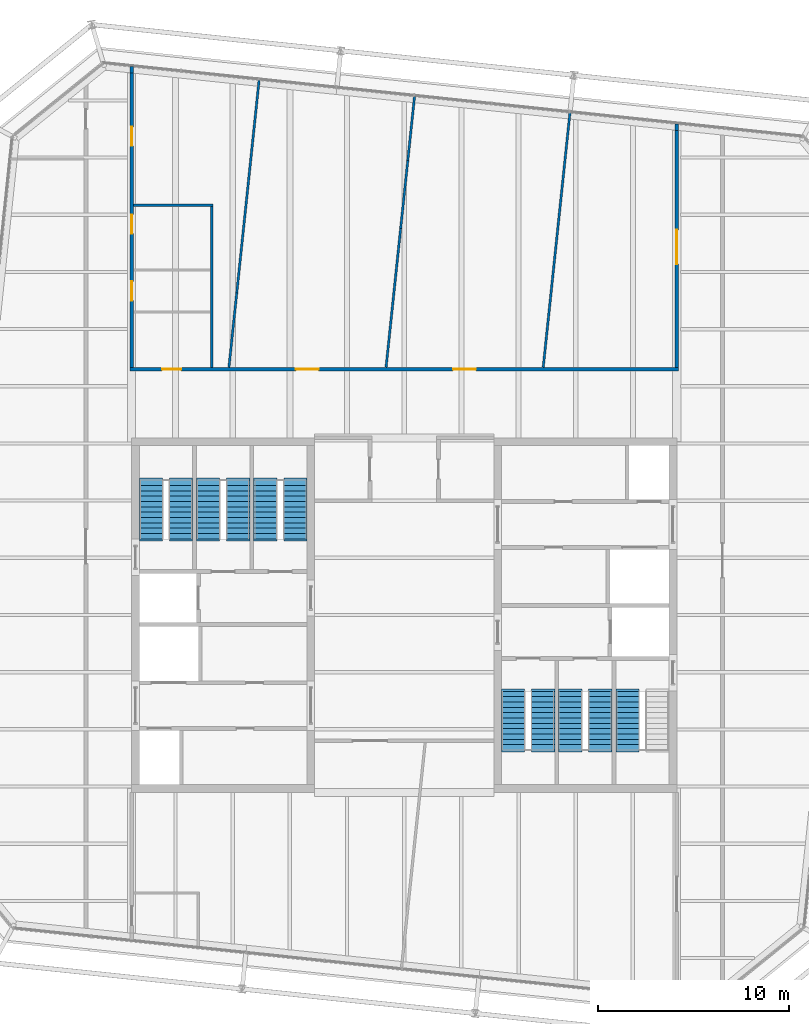
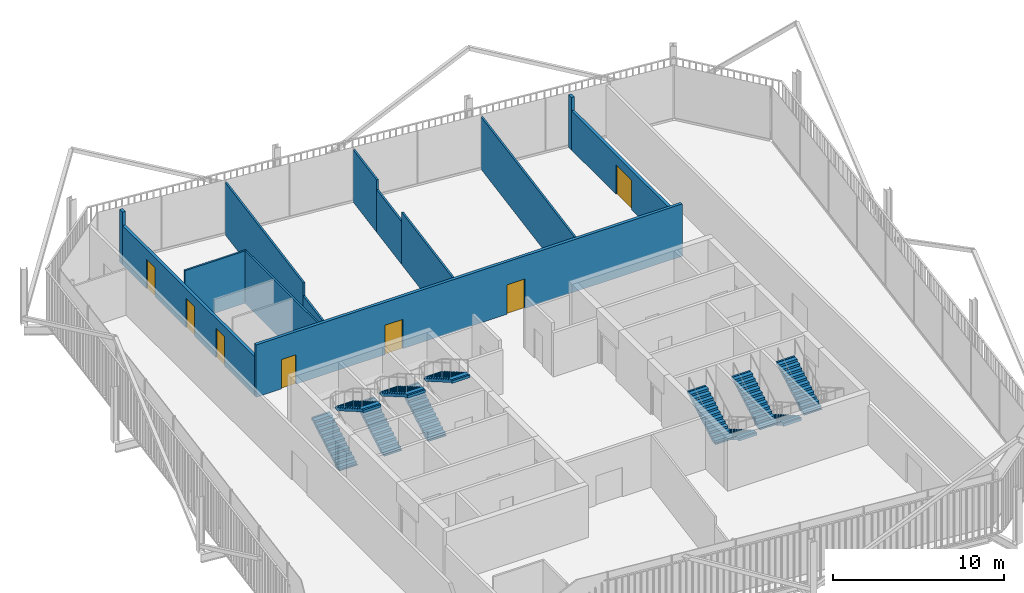
# One storey, part 19 of 21: 13 walls, 11 stair flights, 7 doors, 7 openings, 6 elements without a shape of their own.
"""IFC4 building model written with IfcOpenShell, lengths in metres."""

from ifc_helpers import new_model, si_unit, direction, frame, frame_2d, origin, place, context, subcontext, project, spatial, polyline, rectangle, outline, extrude, material, layer, layer_set, type_object, element, fill, aggregate, save


model = new_model("IFC4")

# Units and contexts
model_context = context("Model", 3, precision=1e-05, world=origin(), true_north=direction((0.0, 1.0)))
body_context = subcontext(model_context, "Body", "Model", "MODEL_VIEW")
ifc_project = project(units=[si_unit("LENGTHUNIT", "METRE"), si_unit("AREAUNIT", "SQUARE_METRE"), si_unit("VOLUMEUNIT", "CUBIC_METRE"), si_unit("PLANEANGLEUNIT", "RADIAN"), si_unit("MASSUNIT", "GRAM", prefix="KILO")], contexts=[model_context])

# Site, building, storey
site_placement = place(None, origin())
site = spatial("IfcSite", under=ifc_project, at=site_placement, CompositionType="ELEMENT")
building_placement = place(site_placement, origin())
building = spatial("IfcBuilding", under=site, at=building_placement, Name="Millrace Tower", CompositionType="ELEMENT")
storey_placement = place(building_placement, frame((0.0, 0.0, 334.300048828125)))
storey = spatial("IfcBuildingStorey", under=building, at=storey_placement, Name="L77", CompositionType="ELEMENT", Elevation=334.300048828125)

# Wall, openings, doors
ifc_material_1 = material(Name="Masonry partition, fire-rated", Category="masonry")
ifc_layer_1 = layer(ifc_material_1, 0.199951171875)
ifc_layer_set_1 = layer_set([ifc_layer_1], Name="Masonry partition, fire-rated")
wall_type_1 = type_object("IfcWallType", Name="Corridor wall 200", PredefinedType="PARTITIONING", material=ifc_layer_set_1)
wall_1_placement = place(storey_placement, frame((-14.39990234375, 12.89990234375, 0.0), z_axis=(0.0, 0.0, 1.0), x_axis=(1.0, 0.0, 0.0)))
wall_1 = element("IfcWall", 1, at=wall_1_placement, inside=storey, type_object=wall_type_1, Name="Corridor wall L77", PredefinedType="PARTITIONING", context=body_context, shape_type="SweptSolid", body=[
    extrude(rectangle(XDim=28.7998046875, YDim=0.199951171875, at=frame_2d((14.39990234375, 0.0))), origin(), (0.0, 0.0, 1.0), 3.739990234375),
])
opening_1_placement = place(wall_1_placement, frame((1.699951171875, 0.0, 0.0)))
opening_1 = element("IfcOpeningElement", 2, at=opening_1_placement, cuts=wall_1, Name="Opening 77-P006", PredefinedType="OPENING", context=body_context, shape_type="SweptSolid", body=[
    extrude(rectangle(XDim=1.0, YDim=2.10009765625, at=frame_2d((0.5, 1.050048828125))), frame((0.0, 0.10986328125, 0.0), z_axis=(0.0, -1.0, 0.0), x_axis=(1.0, 0.0, 0.0)), (0.0, 0.0, 1.0), 0.219970703125),
])
opening_2_placement = place(wall_1_placement, frame((8.714599609375, 0.0, 0.0)))
opening_2 = element("IfcOpeningElement", 3, at=opening_2_placement, cuts=wall_1, Name="Opening 77-P009", PredefinedType="OPENING", context=body_context, shape_type="SweptSolid", body=[
    extrude(rectangle(XDim=1.199951171875, YDim=2.10009765625, at=frame_2d((0.60009765625, 1.050048828125))), frame((0.0, 0.10986328125, 0.0), z_axis=(0.0, -1.0, 0.0), x_axis=(1.0, 0.0, 0.0)), (0.0, 0.0, 1.0), 0.219970703125),
])
opening_3_placement = place(wall_1_placement, frame((16.9599609375, 0.0, 0.0)))
opening_3 = element("IfcOpeningElement", 4, at=opening_3_placement, cuts=wall_1, Name="Opening 77-P010", PredefinedType="OPENING", context=body_context, shape_type="SweptSolid", body=[
    extrude(rectangle(XDim=1.199951171875, YDim=2.10009765625, at=frame_2d((0.60009765625, 1.050048828125))), frame((0.0, 0.10986328125, 0.0), z_axis=(0.0, -1.0, 0.0), x_axis=(1.0, 0.0, 0.0)), (0.0, 0.0, 1.0), 0.219970703125),
])
ifc_material_2 = material(Name="Steel door set, fire-rated", Category="steel")
door_type_1 = type_object("IfcDoorType", Name="Corridor door 1000 x 2100", OperationType="SINGLE_SWING_LEFT", PredefinedType="DOOR", material=ifc_material_2)
door_1_placement = place(opening_1_placement, origin())
door_1 = element("IfcDoor", 5, at=door_1_placement, inside=storey, type_object=door_type_1, Name="Door 77-P006", OperationType="SINGLE_SWING_LEFT", OverallHeight=2.10009765625, OverallWidth=1.0, PredefinedType="DOOR", context=body_context, shape_type="SweptSolid", body=[
    extrude(rectangle(XDim=1.0, YDim=2.10009765625, at=frame_2d((0.5, 1.050048828125))), frame((0.0, 0.02490234375, 0.0), z_axis=(0.0, -1.0, 0.0), x_axis=(1.0, 0.0, 0.0)), (0.0, 0.0, 1.0), 0.050048828125),
])
fill(opening_1, door_1)
ifc_material_3 = material(Name="Steel door set, fire-rated", Category="steel")
door_type_2 = type_object("IfcDoorType", Name="Corridor door 1200 x 2100", OperationType="SINGLE_SWING_LEFT", PredefinedType="DOOR", material=ifc_material_3)
door_2_placement = place(opening_2_placement, origin())
door_2 = element("IfcDoor", 6, at=door_2_placement, inside=storey, type_object=door_type_2, Name="Door 77-P009", OperationType="SINGLE_SWING_LEFT", OverallHeight=2.10009765625, OverallWidth=1.199951171875, PredefinedType="DOOR", context=body_context, shape_type="SweptSolid", body=[
    extrude(rectangle(XDim=1.199951171875, YDim=2.10009765625, at=frame_2d((0.60009765625, 1.050048828125))), frame((0.0, 0.02490234375, 0.0), z_axis=(0.0, -1.0, 0.0), x_axis=(1.0, 0.0, 0.0)), (0.0, 0.0, 1.0), 0.050048828125),
])
fill(opening_2, door_2)
door_3_placement = place(opening_3_placement, origin())
door_3 = element("IfcDoor", 7, at=door_3_placement, inside=storey, type_object=door_type_2, Name="Door 77-P010", OperationType="SINGLE_SWING_RIGHT", OverallHeight=2.10009765625, OverallWidth=1.199951171875, PredefinedType="DOOR", context=body_context, shape_type="SweptSolid", body=[
    extrude(rectangle(XDim=1.199951171875, YDim=2.10009765625, at=frame_2d((0.60009765625, 1.050048828125))), frame((0.0, 0.02490234375, 0.0), z_axis=(0.0, -1.0, 0.0), x_axis=(1.0, 0.0, 0.0)), (0.0, 0.0, 1.0), 0.050048828125),
])
fill(opening_3, door_3)

# Wall, opening, door
wall_2_placement = place(storey_placement, frame((14.300048828125, 13.0, 0.0), z_axis=(0.0, 0.0, 1.0), x_axis=(0.0, 1.0, 0.0)))
wall_2 = element("IfcWall", 8, at=wall_2_placement, inside=storey, type_object=wall_type_1, Name="Corridor wall L77", PredefinedType="PARTITIONING", context=body_context, shape_type="SweptSolid", body=[
    extrude(rectangle(XDim=12.434326171875, YDim=0.199951171875, at=frame_2d((6.21728515625, 0.0))), origin(), (0.0, 0.0, 1.0), 2.79248046875),
])
opening_4_placement = place(wall_2_placement, frame((5.41162109375, 0.0, 0.0)))
opening_4 = element("IfcOpeningElement", 9, at=opening_4_placement, cuts=wall_2, Name="Opening 77-P011", PredefinedType="OPENING", context=body_context, shape_type="SweptSolid", body=[
    extrude(rectangle(XDim=1.800048828125, YDim=2.10009765625, at=frame_2d((0.89990234375, 1.050048828125))), frame((0.0, 0.10986328125, 0.0), z_axis=(0.0, -1.0, 0.0), x_axis=(1.0, 0.0, 0.0)), (0.0, 0.0, 1.0), 0.219970703125),
])
ifc_material_4 = material(Name="Steel door set, fire-rated", Category="steel")
door_type_3 = type_object("IfcDoorType", Name="Corridor door 1800 x 2100", OperationType="DOUBLE_DOOR_SINGLE_SWING", PredefinedType="DOOR", material=ifc_material_4)
door_4_placement = place(opening_4_placement, origin())
door_4 = element("IfcDoor", 10, at=door_4_placement, inside=storey, type_object=door_type_3, Name="Door 77-P011", OperationType="DOUBLE_DOOR_SINGLE_SWING", OverallHeight=2.10009765625, OverallWidth=1.800048828125, PredefinedType="DOOR", context=body_context, shape_type="SweptSolid", body=[
    extrude(rectangle(XDim=1.800048828125, YDim=2.10009765625, at=frame_2d((0.89990234375, 1.050048828125))), frame((0.0, 0.02490234375, 0.0), z_axis=(0.0, -1.0, 0.0), x_axis=(1.0, 0.0, 0.0)), (0.0, 0.0, 1.0), 0.050048828125),
])
fill(opening_4, door_4)

# Wall
wall_3_placement = place(storey_placement, frame((14.300048828125, 25.434326171875, 0.0), z_axis=(0.0, 0.0, 1.0), x_axis=(0.0, 1.0, 0.0)))
element("IfcWall", 11, at=wall_3_placement, inside=storey, type_object=wall_type_1, Name="Corridor wall L77", PredefinedType="PARTITIONING", context=body_context, shape_type="SweptSolid", body=[
    extrude(rectangle(XDim=0.339111328125, YDim=0.199951171875, at=frame_2d((0.16943359375, 0.0))), origin(), (0.0, 0.0, 1.0), 3.739990234375),
])

# Wall, openings, doors
wall_4_placement = place(storey_placement, frame((-14.300048828125, 13.0, 0.0), z_axis=(0.0, 0.0, 1.0), x_axis=(0.0, 1.0, 0.0)))
wall_4 = element("IfcWall", 12, at=wall_4_placement, inside=storey, type_object=wall_type_1, Name="Corridor wall L77", PredefinedType="PARTITIONING", context=body_context, shape_type="SweptSolid", body=[
    extrude(rectangle(XDim=15.440185546875, YDim=0.199951171875, at=frame_2d((7.72021484375, 0.0))), origin(), (0.0, 0.0, 1.0), 2.79248046875),
])
opening_5_placement = place(wall_4_placement, frame((11.614501953125, 0.0, 0.0)))
opening_5 = element("IfcOpeningElement", 13, at=opening_5_placement, cuts=wall_4, Name="Opening 77-P005", PredefinedType="OPENING", context=body_context, shape_type="SweptSolid", body=[
    extrude(rectangle(XDim=1.0, YDim=2.10009765625, at=frame_2d((0.5, 1.050048828125))), frame((0.0, 0.10986328125, 0.0), z_axis=(0.0, -1.0, 0.0), x_axis=(1.0, 0.0, 0.0)), (0.0, 0.0, 1.0), 0.219970703125),
])
opening_6_placement = place(wall_4_placement, frame((3.5, 0.0, 0.0)))
opening_6 = element("IfcOpeningElement", 14, at=opening_6_placement, cuts=wall_4, Name="Opening 77-P007", PredefinedType="OPENING", context=body_context, shape_type="SweptSolid", body=[
    extrude(rectangle(XDim=1.0, YDim=2.10009765625, at=frame_2d((0.5, 1.050048828125))), frame((0.0, 0.10986328125, 0.0), z_axis=(0.0, -1.0, 0.0), x_axis=(1.0, 0.0, 0.0)), (0.0, 0.0, 1.0), 0.219970703125),
])
opening_7_placement = place(wall_4_placement, frame((7.010986328125, 0.0, 0.0)))
opening_7 = element("IfcOpeningElement", 15, at=opening_7_placement, cuts=wall_4, Name="Opening 77-P008", PredefinedType="OPENING", context=body_context, shape_type="SweptSolid", body=[
    extrude(rectangle(XDim=1.0, YDim=2.10009765625, at=frame_2d((0.5, 1.050048828125))), frame((0.0, 0.10986328125, 0.0), z_axis=(0.0, -1.0, 0.0), x_axis=(1.0, 0.0, 0.0)), (0.0, 0.0, 1.0), 0.219970703125),
])
door_5_placement = place(opening_5_placement, frame((1.0, 0.0, 0.0), z_axis=(0.0, 0.0, 1.0), x_axis=(-1.0, 0.0, 0.0)))
door_5 = element("IfcDoor", 16, at=door_5_placement, inside=storey, type_object=door_type_1, Name="Door 77-P005", OperationType="SINGLE_SWING_LEFT", OverallHeight=2.10009765625, OverallWidth=1.0, PredefinedType="DOOR", context=body_context, shape_type="SweptSolid", body=[
    extrude(rectangle(XDim=1.0, YDim=2.10009765625, at=frame_2d((0.5, 1.050048828125))), frame((0.0, 0.02490234375, 0.0), z_axis=(0.0, -1.0, 0.0), x_axis=(1.0, 0.0, 0.0)), (0.0, 0.0, 1.0), 0.050048828125),
])
fill(opening_5, door_5)
door_6_placement = place(opening_6_placement, frame((1.0, 0.0, 0.0), z_axis=(0.0, 0.0, 1.0), x_axis=(-1.0, 0.0, 0.0)))
door_6 = element("IfcDoor", 17, at=door_6_placement, inside=storey, type_object=door_type_1, Name="Door 77-P007", OperationType="SINGLE_SWING_RIGHT", OverallHeight=2.10009765625, OverallWidth=1.0, PredefinedType="DOOR", context=body_context, shape_type="SweptSolid", body=[
    extrude(rectangle(XDim=1.0, YDim=2.10009765625, at=frame_2d((0.5, 1.050048828125))), frame((0.0, 0.02490234375, 0.0), z_axis=(0.0, -1.0, 0.0), x_axis=(1.0, 0.0, 0.0)), (0.0, 0.0, 1.0), 0.050048828125),
])
fill(opening_6, door_6)
door_7_placement = place(opening_7_placement, frame((1.0, 0.0, 0.0), z_axis=(0.0, 0.0, 1.0), x_axis=(-1.0, 0.0, 0.0)))
door_7 = element("IfcDoor", 18, at=door_7_placement, inside=storey, type_object=door_type_1, Name="Door 77-P008", OperationType="SINGLE_SWING_RIGHT", OverallHeight=2.10009765625, OverallWidth=1.0, PredefinedType="DOOR", context=body_context, shape_type="SweptSolid", body=[
    extrude(rectangle(XDim=1.0, YDim=2.10009765625, at=frame_2d((0.5, 1.050048828125))), frame((0.0, 0.02490234375, 0.0), z_axis=(0.0, -1.0, 0.0), x_axis=(1.0, 0.0, 0.0)), (0.0, 0.0, 1.0), 0.050048828125),
])
fill(opening_7, door_7)

# Walls
wall_5_placement = place(storey_placement, frame((-14.300048828125, 28.440185546875, 0.0), z_axis=(0.0, 0.0, 1.0), x_axis=(0.0, 1.0, 0.0)))
element("IfcWall", 19, at=wall_5_placement, inside=storey, type_object=wall_type_1, Name="Corridor wall L77", PredefinedType="PARTITIONING", context=body_context, shape_type="SweptSolid", body=[
    extrude(rectangle(XDim=0.33935546875, YDim=0.199951171875, at=frame_2d((0.169677734375, 0.0))), origin(), (0.0, 0.0, 1.0), 3.739990234375),
])
ifc_material_5 = material(Name="Gypsum board partition")
ifc_layer_2 = layer(ifc_material_5, 0.1201171875)
ifc_layer_set_2 = layer_set([ifc_layer_2], Name="Gypsum board partition")
wall_type_2 = type_object("IfcWallType", Name="Partition wall 120", PredefinedType="PARTITIONING", material=ifc_layer_set_2)
wall_6_placement = place(storey_placement, frame((-14.199951171875, 21.5, 0.0), z_axis=(0.0, 0.0, 1.0), x_axis=(1.0, 0.0, 0.0)))
element("IfcWall", 20, at=wall_6_placement, inside=storey, type_object=wall_type_2, Name="Partition wall L77", PredefinedType="PARTITIONING", context=body_context, shape_type="SweptSolid", body=[
    extrude(rectangle(XDim=4.159912109375, YDim=0.1201171875, at=frame_2d((2.080078125, 0.0))), origin(), (0.0, 0.0, 1.0), 3.739990234375),
])
wall_7_placement = place(storey_placement, frame((7.29345703125, 12.99951171875, 0.0), z_axis=(0.0, 0.0, 1.0), x_axis=(0.104478587956, 0.99452713621, 0.0)))
element("IfcWall", 21, at=wall_7_placement, inside=storey, type_object=wall_type_2, Name="Partition wall L77", PredefinedType="PARTITIONING", context=body_context, shape_type="SweptSolid", body=[
    extrude(rectangle(XDim=13.436279296875, YDim=0.1201171875, at=frame_2d((6.71826171875, 0.0))), origin(), (0.0, 0.0, 1.0), 3.739990234375),
])
wall_8_placement = place(storey_placement, frame((-0.95263671875, 12.99951171875, 0.0), z_axis=(0.0, 0.0, 1.0), x_axis=(0.104545776882, 0.994520075482, 0.0)))
element("IfcWall", 22, at=wall_8_placement, inside=storey, type_object=wall_type_2, Name="Partition wall L77", PredefinedType="PARTITIONING", context=body_context, shape_type="SweptSolid", body=[
    extrude(rectangle(XDim=7.31396484375, YDim=0.1201171875, at=frame_2d((3.656982421875, 0.0))), origin(), (0.0, 0.0, 1.0), 3.739990234375),
])
wall_9_placement = place(storey_placement, frame((-0.18798828125, 20.2734375, 0.0), z_axis=(0.0, 0.0, 1.0), x_axis=(0.104564611651, 0.994518095356, 0.0)))
element("IfcWall", 23, at=wall_9_placement, inside=storey, type_object=wall_type_2, Name="Partition wall L77", PredefinedType="PARTITIONING", context=body_context, shape_type="SweptSolid", body=[
    extrude(rectangle(XDim=3.595703125, YDim=0.1201171875, at=frame_2d((1.7978515625, 0.0))), origin(), (0.0, 0.0, 1.0), 3.046630859375),
])
wall_10_placement = place(storey_placement, frame((0.18798828125, 23.849365234375, 0.0), z_axis=(0.0, 0.0, 1.0), x_axis=(0.104538520452, 0.994520838264, 0.0)))
element("IfcWall", 24, at=wall_10_placement, inside=storey, type_object=wall_type_2, Name="Partition wall L77", PredefinedType="PARTITIONING", context=body_context, shape_type="SweptSolid", body=[
    extrude(rectangle(XDim=3.388671875, YDim=0.1201171875, at=frame_2d((1.6943359375, 0.0))), origin(), (0.0, 0.0, 1.0), 3.739990234375),
])
wall_11_placement = place(storey_placement, frame((-9.197509765625, 12.99951171875, 0.0), z_axis=(0.0, 0.0, 1.0), x_axis=(0.104532824039, 0.994521437023, 0.0)))
element("IfcWall", 25, at=wall_11_placement, inside=storey, type_object=wall_type_2, Name="Partition wall L77", PredefinedType="PARTITIONING", context=body_context, shape_type="SweptSolid", body=[
    extrude(rectangle(XDim=3.9306640625, YDim=0.1201171875, at=frame_2d((1.96533203125, 0.0))), origin(), (0.0, 0.0, 1.0), 2.812744140625),
])
wall_12_placement = place(storey_placement, frame((-8.78662109375, 16.90869140625, 0.0), z_axis=(0.0, 0.0, 1.0), x_axis=(0.10453086869, 0.994521642545, 0.0)))
element("IfcWall", 26, at=wall_12_placement, inside=storey, type_object=wall_type_2, Name="Partition wall L77", PredefinedType="PARTITIONING", context=body_context, shape_type="SweptSolid", body=[
    extrude(rectangle(XDim=11.2294921875, YDim=0.1201171875, at=frame_2d((5.61474609375, 0.0))), origin(), (0.0, 0.0, 1.0), 3.739990234375),
])
wall_13_placement = place(storey_placement, frame((-10.10009765625, 13.0, 0.0), z_axis=(0.0, 0.0, 1.0), x_axis=(0.0, 1.0, 0.0)))
element("IfcWall", 27, at=wall_13_placement, inside=storey, type_object=wall_type_2, Name="Partition wall L77", PredefinedType="PARTITIONING", context=body_context, shape_type="SweptSolid", body=[
    extrude(rectangle(XDim=8.43994140625, YDim=0.1201171875, at=frame_2d((4.219970703125, 0.0))), origin(), (0.0, 0.0, 1.0), 3.739990234375),
])

# Stair, stair flights
ifc_material_6 = material(Name="Concrete C35", Category="concrete")
stair_type = type_object("IfcStairType", Name="Exit stair", PredefinedType="HALF_TURN_STAIR", material=ifc_material_6)
placement = place(storey_placement, origin())
stair_1 = element("IfcStair", 28, at=placement, inside=storey, type_object=stair_type, Name="Stair 1 W L77", PredefinedType="HALF_TURN_STAIR")
ifc_material_7 = material(Name="Concrete C35", Category="concrete")
stair_flight_type = type_object("IfcStairFlightType", Name="Exit stair flight", PredefinedType="STRAIGHT", material=ifc_material_7)
stair_flight_1_placement = place(storey_placement, frame((-13.2900390625, 4.0, 0.0), z_axis=(0.0, 0.0, 1.0), x_axis=(0.0, 1.0, 0.0)))
stair_flight_1 = element("IfcStairFlight", 29, at=stair_flight_1_placement, type_object=stair_flight_type, Name="ST12 flight 1", NumberOfRisers=12, NumberOfTreads=11, PredefinedType="STRAIGHT", RiserHeight=0.1625, TreadLength=0.28, context=body_context, shape_type="SweptSolid", body=[
    extrude(outline(polyline([(-0.1201171875, -0.0400390625), (-0.1201171875, 0.0), (0.0, 0.0), (0.0, 0.16259765625), (0.280029296875, 0.16259765625), (0.280029296875, 0.324951171875), (0.56005859375, 0.324951171875), (0.56005859375, 0.487548828125), (0.840087890625, 0.487548828125), (0.840087890625, 0.64990234375), (1.1201171875, 0.64990234375), (1.1201171875, 0.8125), (1.39990234375, 0.8125), (1.39990234375, 0.97509765625), (1.679931640625, 0.97509765625), (1.679931640625, 1.137451171875), (1.9599609375, 1.137451171875), (1.9599609375, 1.300048828125), (2.239990234375, 1.300048828125), (2.239990234375, 1.46240234375), (2.52001953125, 1.46240234375), (2.52001953125, 1.625), (2.800048828125, 1.625), (2.800048828125, 1.78759765625), (3.080078125, 1.78759765625), (3.080078125, 1.8076171875), (3.199951171875, 1.8076171875), (3.199951171875, 1.6142578125), (3.080078125, 1.6142578125), (0.298583984375, 0.0), (0.298583984375, -0.0400390625), (-0.1201171875, -0.0400390625)])), frame((0.0, 0.60986328125, 0.0), z_axis=(0.0, -1.0, 0.0), x_axis=(1.0, 0.0, 0.0)), (0.0, 0.0, 1.0), 1.219970703125),
])
stair_flight_2_placement = place(storey_placement, frame((-11.7099609375, 7.080078125, 1.949951171875), z_axis=(0.0, 0.0, 1.0), x_axis=(0.0, -1.0, 0.0)))
stair_flight_2 = element("IfcStairFlight", 30, at=stair_flight_2_placement, type_object=stair_flight_type, Name="ST12 flight 2", NumberOfRisers=12, NumberOfTreads=11, PredefinedType="STRAIGHT", RiserHeight=0.1625, TreadLength=0.28, context=body_context, shape_type="SweptSolid", body=[
    extrude(outline(polyline([(-0.1201171875, -0.0400390625), (-0.1201171875, 0.0), (0.0, 0.0), (0.0, 0.16259765625), (0.280029296875, 0.16259765625), (0.280029296875, 0.324951171875), (0.56005859375, 0.324951171875), (0.56005859375, 0.487548828125), (0.840087890625, 0.487548828125), (0.840087890625, 0.64990234375), (1.1201171875, 0.64990234375), (1.1201171875, 0.8125), (1.39990234375, 0.8125), (1.39990234375, 0.97509765625), (1.679931640625, 0.97509765625), (1.679931640625, 1.137451171875), (1.9599609375, 1.137451171875), (1.9599609375, 1.300048828125), (2.239990234375, 1.300048828125), (2.239990234375, 1.46240234375), (2.52001953125, 1.46240234375), (2.52001953125, 1.625), (2.800048828125, 1.625), (2.800048828125, 1.78759765625), (3.080078125, 1.78759765625), (3.080078125, 1.8076171875), (3.199951171875, 1.8076171875), (3.199951171875, 1.6142578125), (3.080078125, 1.6142578125), (0.298583984375, 0.0), (0.298583984375, -0.0400390625), (-0.1201171875, -0.0400390625)])), frame((0.0, 0.60986328125, 0.0), z_axis=(0.0, -1.0, 0.0), x_axis=(1.0, 0.0, 0.0)), (0.0, 0.0, 1.0), 1.219970703125),
])
aggregate(stair_1, [stair_flight_1, stair_flight_2])

stair_2 = element("IfcStair", 31, at=placement, inside=storey, type_object=stair_type, Name="Stair 2 W L77", PredefinedType="HALF_TURN_STAIR")
stair_flight_3_placement = place(storey_placement, frame((-10.2900390625, 4.0, 0.0), z_axis=(0.0, 0.0, 1.0), x_axis=(0.0, 1.0, 0.0)))
stair_flight_3 = element("IfcStairFlight", 32, at=stair_flight_3_placement, type_object=stair_flight_type, Name="ST12 flight 1", NumberOfRisers=12, NumberOfTreads=11, PredefinedType="STRAIGHT", RiserHeight=0.1625, TreadLength=0.28, context=body_context, shape_type="SweptSolid", body=[
    extrude(outline(polyline([(-0.1201171875, -0.0400390625), (-0.1201171875, 0.0), (0.0, 0.0), (0.0, 0.16259765625), (0.280029296875, 0.16259765625), (0.280029296875, 0.324951171875), (0.56005859375, 0.324951171875), (0.56005859375, 0.487548828125), (0.840087890625, 0.487548828125), (0.840087890625, 0.64990234375), (1.1201171875, 0.64990234375), (1.1201171875, 0.8125), (1.39990234375, 0.8125), (1.39990234375, 0.97509765625), (1.679931640625, 0.97509765625), (1.679931640625, 1.137451171875), (1.9599609375, 1.137451171875), (1.9599609375, 1.300048828125), (2.239990234375, 1.300048828125), (2.239990234375, 1.46240234375), (2.52001953125, 1.46240234375), (2.52001953125, 1.625), (2.800048828125, 1.625), (2.800048828125, 1.78759765625), (3.080078125, 1.78759765625), (3.080078125, 1.8076171875), (3.199951171875, 1.8076171875), (3.199951171875, 1.6142578125), (3.080078125, 1.6142578125), (0.298583984375, 0.0), (0.298583984375, -0.0400390625), (-0.1201171875, -0.0400390625)])), frame((0.0, 0.60986328125, 0.0), z_axis=(0.0, -1.0, 0.0), x_axis=(1.0, 0.0, 0.0)), (0.0, 0.0, 1.0), 1.219970703125),
])
stair_flight_4_placement = place(storey_placement, frame((-8.7099609375, 7.080078125, 1.949951171875), z_axis=(0.0, 0.0, 1.0), x_axis=(0.0, -1.0, 0.0)))
stair_flight_4 = element("IfcStairFlight", 33, at=stair_flight_4_placement, type_object=stair_flight_type, Name="ST12 flight 2", NumberOfRisers=12, NumberOfTreads=11, PredefinedType="STRAIGHT", RiserHeight=0.1625, TreadLength=0.28, context=body_context, shape_type="SweptSolid", body=[
    extrude(outline(polyline([(-0.1201171875, -0.0400390625), (-0.1201171875, 0.0), (0.0, 0.0), (0.0, 0.16259765625), (0.280029296875, 0.16259765625), (0.280029296875, 0.324951171875), (0.56005859375, 0.324951171875), (0.56005859375, 0.487548828125), (0.840087890625, 0.487548828125), (0.840087890625, 0.64990234375), (1.1201171875, 0.64990234375), (1.1201171875, 0.8125), (1.39990234375, 0.8125), (1.39990234375, 0.97509765625), (1.679931640625, 0.97509765625), (1.679931640625, 1.137451171875), (1.9599609375, 1.137451171875), (1.9599609375, 1.300048828125), (2.239990234375, 1.300048828125), (2.239990234375, 1.46240234375), (2.52001953125, 1.46240234375), (2.52001953125, 1.625), (2.800048828125, 1.625), (2.800048828125, 1.78759765625), (3.080078125, 1.78759765625), (3.080078125, 1.8076171875), (3.199951171875, 1.8076171875), (3.199951171875, 1.6142578125), (3.080078125, 1.6142578125), (0.298583984375, 0.0), (0.298583984375, -0.0400390625), (-0.1201171875, -0.0400390625)])), frame((0.0, 0.60986328125, 0.0), z_axis=(0.0, -1.0, 0.0), x_axis=(1.0, 0.0, 0.0)), (0.0, 0.0, 1.0), 1.219970703125),
])
aggregate(stair_2, [stair_flight_3, stair_flight_4])

stair_3 = element("IfcStair", 34, at=placement, inside=storey, type_object=stair_type, Name="Stair 3 W L77", PredefinedType="HALF_TURN_STAIR")
stair_flight_5_placement = place(storey_placement, frame((-7.2900390625, 4.0, 0.0), z_axis=(0.0, 0.0, 1.0), x_axis=(0.0, 1.0, 0.0)))
stair_flight_5 = element("IfcStairFlight", 35, at=stair_flight_5_placement, type_object=stair_flight_type, Name="ST12 flight 1", NumberOfRisers=12, NumberOfTreads=11, PredefinedType="STRAIGHT", RiserHeight=0.1625, TreadLength=0.28, context=body_context, shape_type="SweptSolid", body=[
    extrude(outline(polyline([(-0.1201171875, -0.0400390625), (-0.1201171875, 0.0), (0.0, 0.0), (0.0, 0.16259765625), (0.280029296875, 0.16259765625), (0.280029296875, 0.324951171875), (0.56005859375, 0.324951171875), (0.56005859375, 0.487548828125), (0.840087890625, 0.487548828125), (0.840087890625, 0.64990234375), (1.1201171875, 0.64990234375), (1.1201171875, 0.8125), (1.39990234375, 0.8125), (1.39990234375, 0.97509765625), (1.679931640625, 0.97509765625), (1.679931640625, 1.137451171875), (1.9599609375, 1.137451171875), (1.9599609375, 1.300048828125), (2.239990234375, 1.300048828125), (2.239990234375, 1.46240234375), (2.52001953125, 1.46240234375), (2.52001953125, 1.625), (2.800048828125, 1.625), (2.800048828125, 1.78759765625), (3.080078125, 1.78759765625), (3.080078125, 1.8076171875), (3.199951171875, 1.8076171875), (3.199951171875, 1.6142578125), (3.080078125, 1.6142578125), (0.298583984375, 0.0), (0.298583984375, -0.0400390625), (-0.1201171875, -0.0400390625)])), frame((0.0, 0.60986328125, 0.0), z_axis=(0.0, -1.0, 0.0), x_axis=(1.0, 0.0, 0.0)), (0.0, 0.0, 1.0), 1.219970703125),
])
stair_flight_6_placement = place(storey_placement, frame((-5.7099609375, 7.080078125, 1.949951171875), z_axis=(0.0, 0.0, 1.0), x_axis=(0.0, -1.0, 0.0)))
stair_flight_6 = element("IfcStairFlight", 36, at=stair_flight_6_placement, type_object=stair_flight_type, Name="ST12 flight 2", NumberOfRisers=12, NumberOfTreads=11, PredefinedType="STRAIGHT", RiserHeight=0.1625, TreadLength=0.28, context=body_context, shape_type="SweptSolid", body=[
    extrude(outline(polyline([(-0.1201171875, -0.0400390625), (-0.1201171875, 0.0), (0.0, 0.0), (0.0, 0.16259765625), (0.280029296875, 0.16259765625), (0.280029296875, 0.324951171875), (0.56005859375, 0.324951171875), (0.56005859375, 0.487548828125), (0.840087890625, 0.487548828125), (0.840087890625, 0.64990234375), (1.1201171875, 0.64990234375), (1.1201171875, 0.8125), (1.39990234375, 0.8125), (1.39990234375, 0.97509765625), (1.679931640625, 0.97509765625), (1.679931640625, 1.137451171875), (1.9599609375, 1.137451171875), (1.9599609375, 1.300048828125), (2.239990234375, 1.300048828125), (2.239990234375, 1.46240234375), (2.52001953125, 1.46240234375), (2.52001953125, 1.625), (2.800048828125, 1.625), (2.800048828125, 1.78759765625), (3.080078125, 1.78759765625), (3.080078125, 1.8076171875), (3.199951171875, 1.8076171875), (3.199951171875, 1.6142578125), (3.080078125, 1.6142578125), (0.298583984375, 0.0), (0.298583984375, -0.0400390625), (-0.1201171875, -0.0400390625)])), frame((0.0, 0.60986328125, 0.0), z_axis=(0.0, -1.0, 0.0), x_axis=(1.0, 0.0, 0.0)), (0.0, 0.0, 1.0), 1.219970703125),
])
aggregate(stair_3, [stair_flight_5, stair_flight_6])

# Stair, stair flight
stair_4 = element("IfcStair", 37, at=placement, inside=storey, type_object=stair_type, Name="Stair 1 E L77", PredefinedType="HALF_TURN_STAIR")
stair_flight_7_placement = place(storey_placement, frame((11.7099609375, -7.080078125, 1.949951171875), z_axis=(0.0, 0.0, 1.0), x_axis=(0.0, 1.0, 0.0)))
stair_flight_7 = element("IfcStairFlight", 38, at=stair_flight_7_placement, type_object=stair_flight_type, Name="ST12 flight 2", NumberOfRisers=12, NumberOfTreads=11, PredefinedType="STRAIGHT", RiserHeight=0.1625, TreadLength=0.28, context=body_context, shape_type="SweptSolid", body=[
    extrude(outline(polyline([(-0.1201171875, -0.0400390625), (-0.1201171875, 0.0), (0.0, 0.0), (0.0, 0.16259765625), (0.280029296875, 0.16259765625), (0.280029296875, 0.324951171875), (0.56005859375, 0.324951171875), (0.56005859375, 0.487548828125), (0.840087890625, 0.487548828125), (0.840087890625, 0.64990234375), (1.1201171875, 0.64990234375), (1.1201171875, 0.8125), (1.39990234375, 0.8125), (1.39990234375, 0.97509765625), (1.679931640625, 0.97509765625), (1.679931640625, 1.137451171875), (1.9599609375, 1.137451171875), (1.9599609375, 1.300048828125), (2.239990234375, 1.300048828125), (2.239990234375, 1.46240234375), (2.52001953125, 1.46240234375), (2.52001953125, 1.625), (2.800048828125, 1.625), (2.800048828125, 1.78759765625), (3.080078125, 1.78759765625), (3.080078125, 1.8076171875), (3.199951171875, 1.8076171875), (3.199951171875, 1.6142578125), (3.080078125, 1.6142578125), (0.298583984375, 0.0), (0.298583984375, -0.0400390625), (-0.1201171875, -0.0400390625)])), frame((0.0, 0.60986328125, 0.0), z_axis=(0.0, -1.0, 0.0), x_axis=(1.0, 0.0, 0.0)), (0.0, 0.0, 1.0), 1.219970703125),
])
aggregate(stair_4, [stair_flight_7])

# Stair, stair flights
stair_5 = element("IfcStair", 39, at=placement, inside=storey, type_object=stair_type, Name="Stair 2 E L77", PredefinedType="HALF_TURN_STAIR")
stair_flight_8_placement = place(storey_placement, frame((10.2900390625, -4.0, 0.0), z_axis=(0.0, 0.0, 1.0), x_axis=(0.0, -1.0, 0.0)))
stair_flight_8 = element("IfcStairFlight", 40, at=stair_flight_8_placement, type_object=stair_flight_type, Name="ST12 flight 1", NumberOfRisers=12, NumberOfTreads=11, PredefinedType="STRAIGHT", RiserHeight=0.1625, TreadLength=0.28, context=body_context, shape_type="SweptSolid", body=[
    extrude(outline(polyline([(-0.1201171875, -0.0400390625), (-0.1201171875, 0.0), (0.0, 0.0), (0.0, 0.16259765625), (0.280029296875, 0.16259765625), (0.280029296875, 0.324951171875), (0.56005859375, 0.324951171875), (0.56005859375, 0.487548828125), (0.840087890625, 0.487548828125), (0.840087890625, 0.64990234375), (1.1201171875, 0.64990234375), (1.1201171875, 0.8125), (1.39990234375, 0.8125), (1.39990234375, 0.97509765625), (1.679931640625, 0.97509765625), (1.679931640625, 1.137451171875), (1.9599609375, 1.137451171875), (1.9599609375, 1.300048828125), (2.239990234375, 1.300048828125), (2.239990234375, 1.46240234375), (2.52001953125, 1.46240234375), (2.52001953125, 1.625), (2.800048828125, 1.625), (2.800048828125, 1.78759765625), (3.080078125, 1.78759765625), (3.080078125, 1.8076171875), (3.199951171875, 1.8076171875), (3.199951171875, 1.6142578125), (3.080078125, 1.6142578125), (0.298583984375, 0.0), (0.298583984375, -0.0400390625), (-0.1201171875, -0.0400390625)])), frame((0.0, 0.60986328125, 0.0), z_axis=(0.0, -1.0, 0.0), x_axis=(1.0, 0.0, 0.0)), (0.0, 0.0, 1.0), 1.219970703125),
])
stair_flight_9_placement = place(storey_placement, frame((8.7099609375, -7.080078125, 1.949951171875), z_axis=(0.0, 0.0, 1.0), x_axis=(0.0, 1.0, 0.0)))
stair_flight_9 = element("IfcStairFlight", 41, at=stair_flight_9_placement, type_object=stair_flight_type, Name="ST12 flight 2", NumberOfRisers=12, NumberOfTreads=11, PredefinedType="STRAIGHT", RiserHeight=0.1625, TreadLength=0.28, context=body_context, shape_type="SweptSolid", body=[
    extrude(outline(polyline([(-0.1201171875, -0.0400390625), (-0.1201171875, 0.0), (0.0, 0.0), (0.0, 0.16259765625), (0.280029296875, 0.16259765625), (0.280029296875, 0.324951171875), (0.56005859375, 0.324951171875), (0.56005859375, 0.487548828125), (0.840087890625, 0.487548828125), (0.840087890625, 0.64990234375), (1.1201171875, 0.64990234375), (1.1201171875, 0.8125), (1.39990234375, 0.8125), (1.39990234375, 0.97509765625), (1.679931640625, 0.97509765625), (1.679931640625, 1.137451171875), (1.9599609375, 1.137451171875), (1.9599609375, 1.300048828125), (2.239990234375, 1.300048828125), (2.239990234375, 1.46240234375), (2.52001953125, 1.46240234375), (2.52001953125, 1.625), (2.800048828125, 1.625), (2.800048828125, 1.78759765625), (3.080078125, 1.78759765625), (3.080078125, 1.8076171875), (3.199951171875, 1.8076171875), (3.199951171875, 1.6142578125), (3.080078125, 1.6142578125), (0.298583984375, 0.0), (0.298583984375, -0.0400390625), (-0.1201171875, -0.0400390625)])), frame((0.0, 0.60986328125, 0.0), z_axis=(0.0, -1.0, 0.0), x_axis=(1.0, 0.0, 0.0)), (0.0, 0.0, 1.0), 1.219970703125),
])
aggregate(stair_5, [stair_flight_8, stair_flight_9])

stair_6 = element("IfcStair", 42, at=placement, inside=storey, type_object=stair_type, Name="Stair 3 E L77", PredefinedType="HALF_TURN_STAIR")
stair_flight_10_placement = place(storey_placement, frame((7.2900390625, -4.0, 0.0), z_axis=(0.0, 0.0, 1.0), x_axis=(0.0, -1.0, 0.0)))
stair_flight_10 = element("IfcStairFlight", 43, at=stair_flight_10_placement, type_object=stair_flight_type, Name="ST12 flight 1", NumberOfRisers=12, NumberOfTreads=11, PredefinedType="STRAIGHT", RiserHeight=0.1625, TreadLength=0.28, context=body_context, shape_type="SweptSolid", body=[
    extrude(outline(polyline([(-0.1201171875, -0.0400390625), (-0.1201171875, 0.0), (0.0, 0.0), (0.0, 0.16259765625), (0.280029296875, 0.16259765625), (0.280029296875, 0.324951171875), (0.56005859375, 0.324951171875), (0.56005859375, 0.487548828125), (0.840087890625, 0.487548828125), (0.840087890625, 0.64990234375), (1.1201171875, 0.64990234375), (1.1201171875, 0.8125), (1.39990234375, 0.8125), (1.39990234375, 0.97509765625), (1.679931640625, 0.97509765625), (1.679931640625, 1.137451171875), (1.9599609375, 1.137451171875), (1.9599609375, 1.300048828125), (2.239990234375, 1.300048828125), (2.239990234375, 1.46240234375), (2.52001953125, 1.46240234375), (2.52001953125, 1.625), (2.800048828125, 1.625), (2.800048828125, 1.78759765625), (3.080078125, 1.78759765625), (3.080078125, 1.8076171875), (3.199951171875, 1.8076171875), (3.199951171875, 1.6142578125), (3.080078125, 1.6142578125), (0.298583984375, 0.0), (0.298583984375, -0.0400390625), (-0.1201171875, -0.0400390625)])), frame((0.0, 0.60986328125, 0.0), z_axis=(0.0, -1.0, 0.0), x_axis=(1.0, 0.0, 0.0)), (0.0, 0.0, 1.0), 1.219970703125),
])
stair_flight_11_placement = place(storey_placement, frame((5.7099609375, -7.080078125, 1.949951171875), z_axis=(0.0, 0.0, 1.0), x_axis=(0.0, 1.0, 0.0)))
stair_flight_11 = element("IfcStairFlight", 44, at=stair_flight_11_placement, type_object=stair_flight_type, Name="ST12 flight 2", NumberOfRisers=12, NumberOfTreads=11, PredefinedType="STRAIGHT", RiserHeight=0.1625, TreadLength=0.28, context=body_context, shape_type="SweptSolid", body=[
    extrude(outline(polyline([(-0.1201171875, -0.0400390625), (-0.1201171875, 0.0), (0.0, 0.0), (0.0, 0.16259765625), (0.280029296875, 0.16259765625), (0.280029296875, 0.324951171875), (0.56005859375, 0.324951171875), (0.56005859375, 0.487548828125), (0.840087890625, 0.487548828125), (0.840087890625, 0.64990234375), (1.1201171875, 0.64990234375), (1.1201171875, 0.8125), (1.39990234375, 0.8125), (1.39990234375, 0.97509765625), (1.679931640625, 0.97509765625), (1.679931640625, 1.137451171875), (1.9599609375, 1.137451171875), (1.9599609375, 1.300048828125), (2.239990234375, 1.300048828125), (2.239990234375, 1.46240234375), (2.52001953125, 1.46240234375), (2.52001953125, 1.625), (2.800048828125, 1.625), (2.800048828125, 1.78759765625), (3.080078125, 1.78759765625), (3.080078125, 1.8076171875), (3.199951171875, 1.8076171875), (3.199951171875, 1.6142578125), (3.080078125, 1.6142578125), (0.298583984375, 0.0), (0.298583984375, -0.0400390625), (-0.1201171875, -0.0400390625)])), frame((0.0, 0.60986328125, 0.0), z_axis=(0.0, -1.0, 0.0), x_axis=(1.0, 0.0, 0.0)), (0.0, 0.0, 1.0), 1.219970703125),
])
aggregate(stair_6, [stair_flight_10, stair_flight_11])

save(model, "model.ifc")
